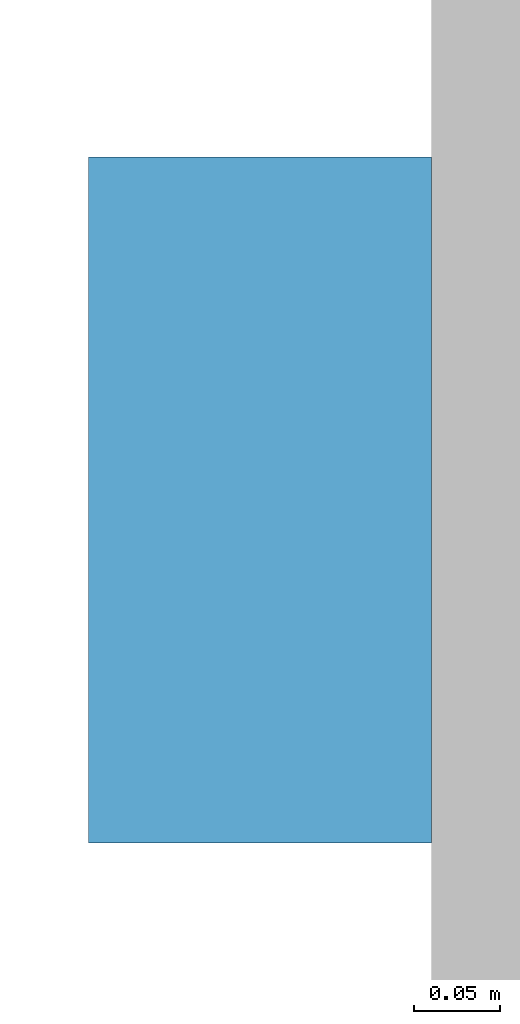
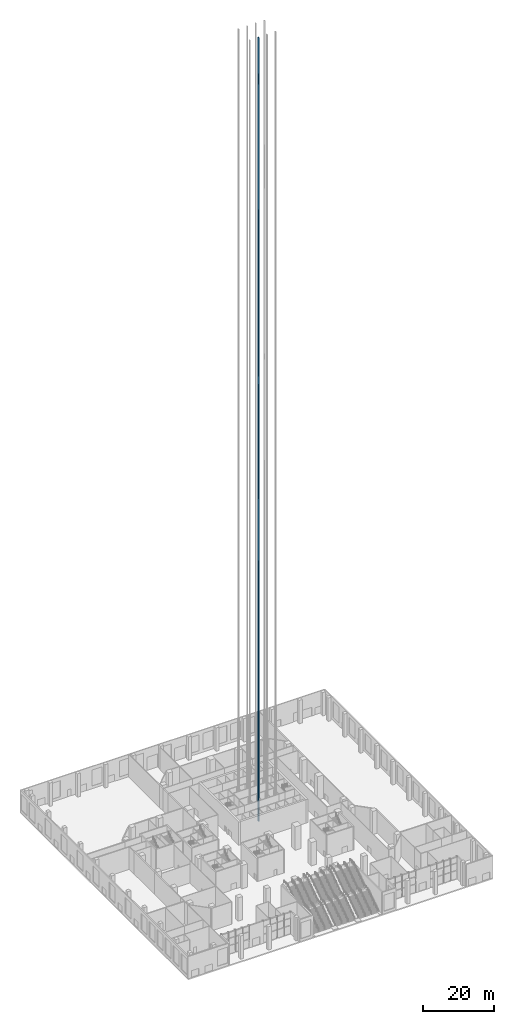
# One storey, part 22 of 32: 1 discrete accessory.
"""IFC4 building model written with IfcOpenShell, lengths in metres."""

from ifc_helpers import new_model, si_unit, direction, frame, origin, origin_2d, place, context, subcontext, project, spatial, rectangle, extrude, material, element, save


model = new_model("IFC4")

# Units and contexts
model_context = context("Model", 3, precision=1e-05, world=origin(), true_north=direction((0.0, 1.0)))
body_context = subcontext(model_context, "Body", "Model", "MODEL_VIEW")
ifc_project = project(units=[si_unit("LENGTHUNIT", "METRE"), si_unit("AREAUNIT", "SQUARE_METRE"), si_unit("VOLUMEUNIT", "CUBIC_METRE"), si_unit("PLANEANGLEUNIT", "RADIAN"), si_unit("MASSUNIT", "GRAM", prefix="KILO")], contexts=[model_context])

# Site, building, storey
site_placement = place(None, origin())
site = spatial("IfcSite", under=ifc_project, at=site_placement, CompositionType="ELEMENT")
building_placement = place(site_placement, origin())
building = spatial("IfcBuilding", under=site, at=building_placement, Name="Quoin Convention Tower", CompositionType="ELEMENT")
storey_placement = place(building_placement, origin())
storey = spatial("IfcBuildingStorey", under=building, at=storey_placement, Name="L00", CompositionType="ELEMENT", Elevation=0.0)

# Discrete accessory
ifc_material = material(Name="Galvanised steel", Category="steel")
discrete_accessory_placement = place(storey_placement, frame((56.050048828125, 57.60009765625, -0.35009765625), z_axis=(0.0, 0.0, 1.0), x_axis=(1.0, 0.0, 0.0)))
element("IfcDiscreteAccessory", 1, at=discrete_accessory_placement, inside=storey, material=ifc_material, Name="LIFT GUIDE RAILS H2", ObjectType="Lift guide rails", PredefinedType="USERDEFINED", context=body_context, shape_type="SweptSolid", body=[
    extrude(rectangle(XDim=0.199951171875, YDim=0.39990234375, at=origin_2d()), origin(), (0.0, 0.0, 1.0), 268.800048828125),
])

save(model, "model.ifc")
